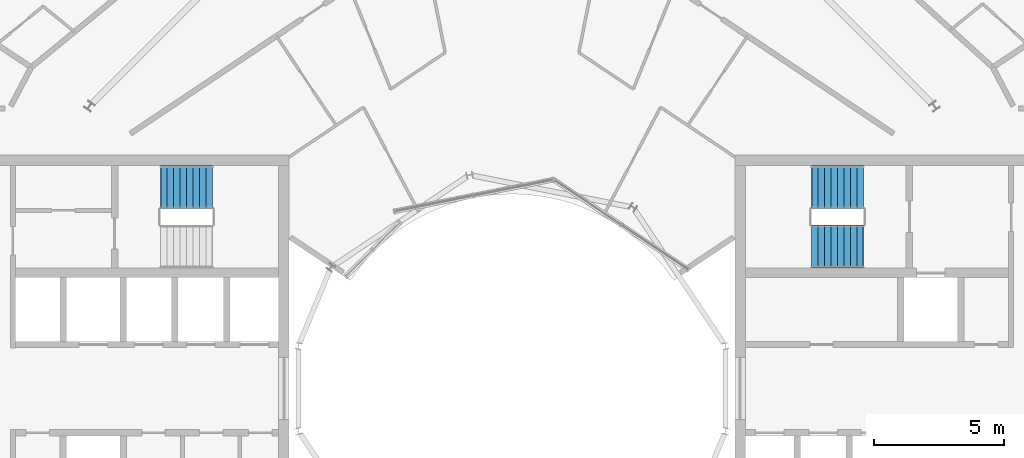
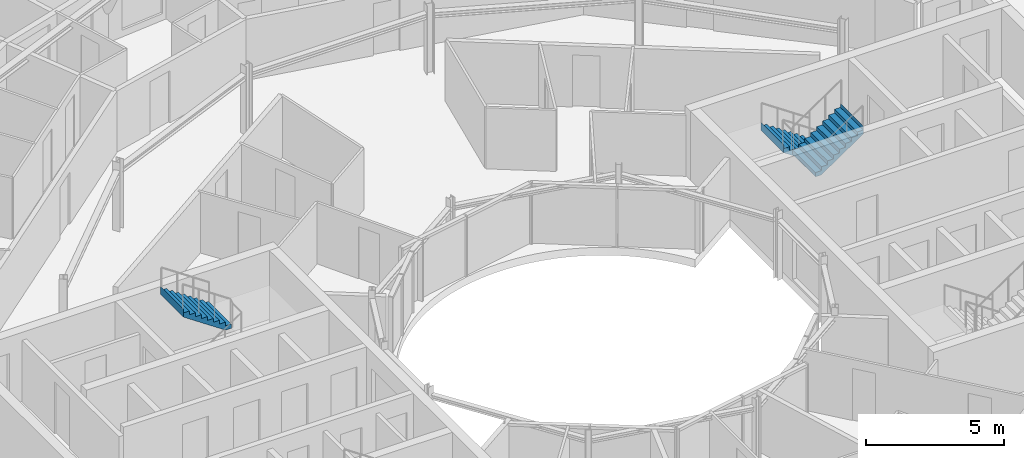
# One storey, part 26 of 28: 3 stair flights, 2 elements without a shape of their own.
"""IFC4 building model written with IfcOpenShell, lengths in metres."""

from ifc_helpers import new_model, si_unit, direction, frame, origin, place, context, subcontext, project, spatial, triangles, material, type_object, element, aggregate, save


model = new_model("IFC4")

# Units and contexts
model_context = context("Model", 3, precision=1e-05, world=origin(), true_north=direction((0.0, 1.0)))
body_context = subcontext(model_context, "Body", "Model", "MODEL_VIEW")
ifc_project = project(units=[si_unit("LENGTHUNIT", "METRE"), si_unit("AREAUNIT", "SQUARE_METRE"), si_unit("VOLUMEUNIT", "CUBIC_METRE"), si_unit("PLANEANGLEUNIT", "RADIAN"), si_unit("MASSUNIT", "GRAM", prefix="KILO")], contexts=[model_context])

# Site, building, storey
site_placement = place(None, origin())
site = spatial("IfcSite", under=ifc_project, at=site_placement, CompositionType="ELEMENT")
building_placement = place(site_placement, origin())
building = spatial("IfcBuilding", under=site, at=building_placement, Name="Maasbend Ring Residences", CompositionType="ELEMENT")
storey_placement = place(building_placement, frame((0.0, 0.0, 231.0)))
storey = spatial("IfcBuildingStorey", under=building, at=storey_placement, Name="L66", CompositionType="ELEMENT", Elevation=231.0)

# Stair, stair flights
ifc_material_1 = material(Name="Concrete C40/50", Category="concrete")
stair_type = type_object("IfcStairType", Name="CORE STAIR 18 RISERS", PredefinedType="HALF_TURN_STAIR", material=ifc_material_1)
stair_1_placement = place(storey_placement, origin())
stair_1 = element("IfcStair", 1, at=stair_1_placement, inside=storey, type_object=stair_type, Name="L66 Exit stair ST-E1", PredefinedType="HALF_TURN_STAIR")
ifc_material_2 = material(Name="Concrete C40/50", Category="concrete")
stair_flight_type = type_object("IfcStairFlightType", Name="CORE STAIR FLIGHT 1650", PredefinedType="STRAIGHT", material=ifc_material_2)
stair_flight_1_placement = place(storey_placement, frame((13.550048828125, 7.77490234375, 0.0), z_axis=(0.0, 0.0, 1.0), x_axis=(-1.0, 0.0, 0.0)))
stair_flight_1 = element("IfcStairFlight", 2, at=stair_flight_1_placement, type_object=stair_flight_type, Name="ST-E1 flight 1", NumberOfRisers=9, NumberOfTreads=8, PredefinedType="STRAIGHT", RiserHeight=0.169444444, TreadLength=0.25, context=body_context, shape_type="Tessellation", body=[
    triangles([(0.24072265625, 0.824951171875, -0.02001953125), (2.0029296875, 0.824951171875, 1.174560546875), (2.0029296875, 0.824951171875, 1.52490234375), (1.989990234375, 0.824951171875, 1.35546875), (1.75, 0.824951171875, 1.35546875), (1.75, 0.824951171875, 1.18603515625), (1.5, 0.824951171875, 1.18603515625), (1.5, 0.824951171875, 1.0166015625), (1.25, 0.824951171875, 1.0166015625), (1.25, 0.824951171875, 0.84716796875), (1.0, 0.824951171875, 0.84716796875), (1.0, 0.824951171875, 0.677734375), (0.75, 0.824951171875, 0.677734375), (0.75, 0.824951171875, 0.50830078125), (0.5, 0.824951171875, 0.50830078125), (0.5, 0.824951171875, 0.3388671875), (0.25, 0.824951171875, 0.3388671875), (0.25, 0.824951171875, 0.16943359375), (0.0, 0.824951171875, 0.16943359375), (0.0, 0.824951171875, 0.0), (-0.0029296875, 0.824951171875, 0.0), (-0.0029296875, 0.824951171875, -0.02001953125), (0.24072265625, 0.27490234375, -0.02001953125), (2.0029296875, 0.27490234375, 1.174560546875), (2.0029296875, 0.27490234375, 1.52490234375), (1.989990234375, 0.27490234375, 1.35546875), (1.75, 0.27490234375, 1.35546875), (1.75, 0.27490234375, 1.18603515625), (1.5, 0.27490234375, 1.18603515625), (1.5, 0.27490234375, 1.0166015625), (1.25, 0.27490234375, 1.0166015625), (1.25, 0.27490234375, 0.84716796875), (1.0, 0.27490234375, 0.84716796875), (1.0, 0.27490234375, 0.677734375), (0.75, 0.27490234375, 0.677734375), (0.75, 0.27490234375, 0.50830078125), (0.5, 0.27490234375, 0.50830078125), (0.5, 0.27490234375, 0.3388671875), (0.25, 0.27490234375, 0.3388671875), (0.25, 0.27490234375, 0.16943359375), (0.0, 0.27490234375, 0.16943359375), (0.0, 0.27490234375, 0.0), (-0.0029296875, 0.27490234375, 0.0), (-0.0029296875, 0.27490234375, -0.02001953125), (0.24072265625, -0.27490234375, -0.02001953125), (2.0029296875, -0.27490234375, 1.174560546875), (2.0029296875, -0.27490234375, 1.52490234375), (1.989990234375, -0.27490234375, 1.35546875), (1.75, -0.27490234375, 1.35546875), (1.75, -0.27490234375, 1.18603515625), (1.5, -0.27490234375, 1.18603515625), (1.5, -0.27490234375, 1.0166015625), (1.25, -0.27490234375, 1.0166015625), (1.25, -0.27490234375, 0.84716796875), (1.0, -0.27490234375, 0.84716796875), (1.0, -0.27490234375, 0.677734375), (0.75, -0.27490234375, 0.677734375), (0.75, -0.27490234375, 0.50830078125), (0.5, -0.27490234375, 0.50830078125), (0.5, -0.27490234375, 0.3388671875), (0.25, -0.27490234375, 0.3388671875), (0.25, -0.27490234375, 0.16943359375), (0.0, -0.27490234375, 0.16943359375), (0.0, -0.27490234375, 0.0), (-0.0029296875, -0.27490234375, 0.0), (-0.0029296875, -0.27490234375, -0.02001953125), (0.24072265625, -0.824951171875, -0.02001953125), (2.0029296875, -0.824951171875, 1.174560546875), (2.0029296875, -0.824951171875, 1.52490234375), (1.989990234375, -0.824951171875, 1.35546875), (1.75, -0.824951171875, 1.35546875), (1.75, -0.824951171875, 1.18603515625), (1.5, -0.824951171875, 1.18603515625), (1.5, -0.824951171875, 1.0166015625), (1.25, -0.824951171875, 1.0166015625), (1.25, -0.824951171875, 0.84716796875), (1.0, -0.824951171875, 0.84716796875), (1.0, -0.824951171875, 0.677734375), (0.75, -0.824951171875, 0.677734375), (0.75, -0.824951171875, 0.50830078125), (0.5, -0.824951171875, 0.50830078125), (0.5, -0.824951171875, 0.3388671875), (0.25, -0.824951171875, 0.3388671875), (0.25, -0.824951171875, 0.16943359375), (0.0, -0.824951171875, 0.16943359375), (0.0, -0.824951171875, 0.0), (-0.0029296875, -0.824951171875, 0.0), (-0.0029296875, -0.824951171875, -0.02001953125)], [[1, 2, 24], [1, 24, 23], [23, 24, 46], [23, 46, 45], [45, 46, 68], [45, 68, 67], [2, 3, 25], [2, 25, 24], [24, 25, 47], [24, 47, 46], [46, 47, 69], [46, 69, 68], [3, 4, 26], [3, 26, 25], [25, 26, 48], [25, 48, 47], [47, 48, 70], [47, 70, 69], [4, 5, 27], [4, 27, 26], [26, 27, 49], [26, 49, 48], [48, 49, 71], [48, 71, 70], [5, 6, 28], [5, 28, 27], [27, 28, 50], [27, 50, 49], [49, 50, 72], [49, 72, 71], [6, 7, 29], [6, 29, 28], [28, 29, 51], [28, 51, 50], [50, 51, 73], [50, 73, 72], [7, 8, 30], [7, 30, 29], [29, 30, 52], [29, 52, 51], [51, 52, 74], [51, 74, 73], [8, 9, 31], [8, 31, 30], [30, 31, 53], [30, 53, 52], [52, 53, 75], [52, 75, 74], [9, 10, 32], [9, 32, 31], [31, 32, 54], [31, 54, 53], [53, 54, 76], [53, 76, 75], [10, 11, 33], [10, 33, 32], [32, 33, 55], [32, 55, 54], [54, 55, 77], [54, 77, 76], [11, 12, 34], [11, 34, 33], [33, 34, 56], [33, 56, 55], [55, 56, 78], [55, 78, 77], [12, 13, 35], [12, 35, 34], [34, 35, 57], [34, 57, 56], [56, 57, 79], [56, 79, 78], [13, 14, 36], [13, 36, 35], [35, 36, 58], [35, 58, 57], [57, 58, 80], [57, 80, 79], [14, 15, 37], [14, 37, 36], [36, 37, 59], [36, 59, 58], [58, 59, 81], [58, 81, 80], [15, 16, 38], [15, 38, 37], [37, 38, 60], [37, 60, 59], [59, 60, 82], [59, 82, 81], [16, 17, 39], [16, 39, 38], [38, 39, 61], [38, 61, 60], [60, 61, 83], [60, 83, 82], [17, 18, 40], [17, 40, 39], [39, 40, 62], [39, 62, 61], [61, 62, 84], [61, 84, 83], [18, 19, 41], [18, 41, 40], [40, 41, 63], [40, 63, 62], [62, 63, 85], [62, 85, 84], [19, 20, 42], [19, 42, 41], [41, 42, 64], [41, 64, 63], [63, 64, 86], [63, 86, 85], [20, 21, 43], [20, 43, 42], [42, 43, 65], [42, 65, 64], [64, 65, 87], [64, 87, 86], [21, 22, 44], [21, 44, 43], [43, 44, 66], [43, 66, 65], [65, 66, 88], [65, 88, 87], [22, 1, 23], [22, 23, 44], [44, 23, 45], [44, 45, 66], [66, 45, 67], [66, 67, 88], [22, 2, 1], [2, 4, 3], [2, 5, 4], [2, 6, 5], [22, 6, 2], [6, 8, 7], [22, 8, 6], [8, 10, 9], [22, 10, 8], [10, 12, 11], [22, 12, 10], [12, 14, 13], [22, 14, 12], [14, 16, 15], [22, 16, 14], [16, 18, 17], [22, 18, 16], [18, 20, 19], [22, 20, 18], [20, 22, 21], [88, 67, 68], [68, 69, 70], [68, 70, 71], [68, 71, 72], [88, 68, 72], [72, 73, 74], [88, 72, 74], [74, 75, 76], [88, 74, 76], [76, 77, 78], [88, 76, 78], [78, 79, 80], [88, 78, 80], [80, 81, 82], [88, 80, 82], [82, 83, 84], [88, 82, 84], [84, 85, 86], [88, 84, 86], [86, 87, 88]], closed=True),
])
stair_flight_2_placement = place(storey_placement, frame((11.550048828125, 5.47509765625, 1.52490234375), z_axis=(0.0, 0.0, 1.0), x_axis=(1.0, 0.0, 0.0)))
stair_flight_2 = element("IfcStairFlight", 3, at=stair_flight_2_placement, type_object=stair_flight_type, Name="ST-E1 flight 2", NumberOfRisers=9, NumberOfTreads=8, PredefinedType="STRAIGHT", RiserHeight=0.169444444, TreadLength=0.25, context=body_context, shape_type="Tessellation", body=[
    triangles([(0.24072265625, 0.824951171875, -0.02001953125), (2.0029296875, 0.824951171875, 1.174560546875), (2.0029296875, 0.824951171875, 1.52490234375), (1.989990234375, 0.824951171875, 1.35546875), (1.75, 0.824951171875, 1.35546875), (1.75, 0.824951171875, 1.18603515625), (1.5, 0.824951171875, 1.18603515625), (1.5, 0.824951171875, 1.0166015625), (1.25, 0.824951171875, 1.0166015625), (1.25, 0.824951171875, 0.84716796875), (1.0, 0.824951171875, 0.84716796875), (1.0, 0.824951171875, 0.677734375), (0.75, 0.824951171875, 0.677734375), (0.75, 0.824951171875, 0.50830078125), (0.5, 0.824951171875, 0.50830078125), (0.5, 0.824951171875, 0.3388671875), (0.25, 0.824951171875, 0.3388671875), (0.25, 0.824951171875, 0.16943359375), (0.0, 0.824951171875, 0.16943359375), (0.0, 0.824951171875, 0.0), (-0.0029296875, 0.824951171875, 0.0), (-0.0029296875, 0.824951171875, -0.02001953125), (0.24072265625, 0.27490234375, -0.02001953125), (2.0029296875, 0.27490234375, 1.174560546875), (2.0029296875, 0.27490234375, 1.52490234375), (1.989990234375, 0.27490234375, 1.35546875), (1.75, 0.27490234375, 1.35546875), (1.75, 0.27490234375, 1.18603515625), (1.5, 0.27490234375, 1.18603515625), (1.5, 0.27490234375, 1.0166015625), (1.25, 0.27490234375, 1.0166015625), (1.25, 0.27490234375, 0.84716796875), (1.0, 0.27490234375, 0.84716796875), (1.0, 0.27490234375, 0.677734375), (0.75, 0.27490234375, 0.677734375), (0.75, 0.27490234375, 0.50830078125), (0.5, 0.27490234375, 0.50830078125), (0.5, 0.27490234375, 0.3388671875), (0.25, 0.27490234375, 0.3388671875), (0.25, 0.27490234375, 0.16943359375), (0.0, 0.27490234375, 0.16943359375), (0.0, 0.27490234375, 0.0), (-0.0029296875, 0.27490234375, 0.0), (-0.0029296875, 0.27490234375, -0.02001953125), (0.24072265625, -0.27490234375, -0.02001953125), (2.0029296875, -0.27490234375, 1.174560546875), (2.0029296875, -0.27490234375, 1.52490234375), (1.989990234375, -0.27490234375, 1.35546875), (1.75, -0.27490234375, 1.35546875), (1.75, -0.27490234375, 1.18603515625), (1.5, -0.27490234375, 1.18603515625), (1.5, -0.27490234375, 1.0166015625), (1.25, -0.27490234375, 1.0166015625), (1.25, -0.27490234375, 0.84716796875), (1.0, -0.27490234375, 0.84716796875), (1.0, -0.27490234375, 0.677734375), (0.75, -0.27490234375, 0.677734375), (0.75, -0.27490234375, 0.50830078125), (0.5, -0.27490234375, 0.50830078125), (0.5, -0.27490234375, 0.3388671875), (0.25, -0.27490234375, 0.3388671875), (0.25, -0.27490234375, 0.16943359375), (0.0, -0.27490234375, 0.16943359375), (0.0, -0.27490234375, 0.0), (-0.0029296875, -0.27490234375, 0.0), (-0.0029296875, -0.27490234375, -0.02001953125), (0.24072265625, -0.824951171875, -0.02001953125), (2.0029296875, -0.824951171875, 1.174560546875), (2.0029296875, -0.824951171875, 1.52490234375), (1.989990234375, -0.824951171875, 1.35546875), (1.75, -0.824951171875, 1.35546875), (1.75, -0.824951171875, 1.18603515625), (1.5, -0.824951171875, 1.18603515625), (1.5, -0.824951171875, 1.0166015625), (1.25, -0.824951171875, 1.0166015625), (1.25, -0.824951171875, 0.84716796875), (1.0, -0.824951171875, 0.84716796875), (1.0, -0.824951171875, 0.677734375), (0.75, -0.824951171875, 0.677734375), (0.75, -0.824951171875, 0.50830078125), (0.5, -0.824951171875, 0.50830078125), (0.5, -0.824951171875, 0.3388671875), (0.25, -0.824951171875, 0.3388671875), (0.25, -0.824951171875, 0.16943359375), (0.0, -0.824951171875, 0.16943359375), (0.0, -0.824951171875, 0.0), (-0.0029296875, -0.824951171875, 0.0), (-0.0029296875, -0.824951171875, -0.02001953125)], [[1, 2, 24], [1, 24, 23], [23, 24, 46], [23, 46, 45], [45, 46, 68], [45, 68, 67], [2, 3, 25], [2, 25, 24], [24, 25, 47], [24, 47, 46], [46, 47, 69], [46, 69, 68], [3, 4, 26], [3, 26, 25], [25, 26, 48], [25, 48, 47], [47, 48, 70], [47, 70, 69], [4, 5, 27], [4, 27, 26], [26, 27, 49], [26, 49, 48], [48, 49, 71], [48, 71, 70], [5, 6, 28], [5, 28, 27], [27, 28, 50], [27, 50, 49], [49, 50, 72], [49, 72, 71], [6, 7, 29], [6, 29, 28], [28, 29, 51], [28, 51, 50], [50, 51, 73], [50, 73, 72], [7, 8, 30], [7, 30, 29], [29, 30, 52], [29, 52, 51], [51, 52, 74], [51, 74, 73], [8, 9, 31], [8, 31, 30], [30, 31, 53], [30, 53, 52], [52, 53, 75], [52, 75, 74], [9, 10, 32], [9, 32, 31], [31, 32, 54], [31, 54, 53], [53, 54, 76], [53, 76, 75], [10, 11, 33], [10, 33, 32], [32, 33, 55], [32, 55, 54], [54, 55, 77], [54, 77, 76], [11, 12, 34], [11, 34, 33], [33, 34, 56], [33, 56, 55], [55, 56, 78], [55, 78, 77], [12, 13, 35], [12, 35, 34], [34, 35, 57], [34, 57, 56], [56, 57, 79], [56, 79, 78], [13, 14, 36], [13, 36, 35], [35, 36, 58], [35, 58, 57], [57, 58, 80], [57, 80, 79], [14, 15, 37], [14, 37, 36], [36, 37, 59], [36, 59, 58], [58, 59, 81], [58, 81, 80], [15, 16, 38], [15, 38, 37], [37, 38, 60], [37, 60, 59], [59, 60, 82], [59, 82, 81], [16, 17, 39], [16, 39, 38], [38, 39, 61], [38, 61, 60], [60, 61, 83], [60, 83, 82], [17, 18, 40], [17, 40, 39], [39, 40, 62], [39, 62, 61], [61, 62, 84], [61, 84, 83], [18, 19, 41], [18, 41, 40], [40, 41, 63], [40, 63, 62], [62, 63, 85], [62, 85, 84], [19, 20, 42], [19, 42, 41], [41, 42, 64], [41, 64, 63], [63, 64, 86], [63, 86, 85], [20, 21, 43], [20, 43, 42], [42, 43, 65], [42, 65, 64], [64, 65, 87], [64, 87, 86], [21, 22, 44], [21, 44, 43], [43, 44, 66], [43, 66, 65], [65, 66, 88], [65, 88, 87], [22, 1, 23], [22, 23, 44], [44, 23, 45], [44, 45, 66], [66, 45, 67], [66, 67, 88], [22, 2, 1], [2, 4, 3], [2, 5, 4], [2, 6, 5], [22, 6, 2], [6, 8, 7], [22, 8, 6], [8, 10, 9], [22, 10, 8], [10, 12, 11], [22, 12, 10], [12, 14, 13], [22, 14, 12], [14, 16, 15], [22, 16, 14], [16, 18, 17], [22, 18, 16], [18, 20, 19], [22, 20, 18], [20, 22, 21], [88, 67, 68], [68, 69, 70], [68, 70, 71], [68, 71, 72], [88, 68, 72], [72, 73, 74], [88, 72, 74], [74, 75, 76], [88, 74, 76], [76, 77, 78], [88, 76, 78], [78, 79, 80], [88, 78, 80], [80, 81, 82], [88, 80, 82], [82, 83, 84], [88, 82, 84], [84, 85, 86], [88, 84, 86], [86, 87, 88]], closed=True),
])
aggregate(stair_1, [stair_flight_1, stair_flight_2])

# Stair, stair flight
stair_2_placement = place(storey_placement, origin())
stair_2 = element("IfcStair", 4, at=stair_2_placement, inside=storey, type_object=stair_type, Name="L66 Exit stair ST-W2", PredefinedType="HALF_TURN_STAIR")
stair_flight_3_placement = place(storey_placement, frame((-11.550048828125, 7.77490234375, 1.52490234375), z_axis=(0.0, 0.0, 1.0), x_axis=(-1.0, 0.0, 0.0)))
stair_flight_3 = element("IfcStairFlight", 5, at=stair_flight_3_placement, type_object=stair_flight_type, Name="ST-W2 flight 2", NumberOfRisers=9, NumberOfTreads=8, PredefinedType="STRAIGHT", RiserHeight=0.169444444, TreadLength=0.25, context=body_context, shape_type="Tessellation", body=[
    triangles([(0.24072265625, 0.824951171875, -0.02001953125), (2.0029296875, 0.824951171875, 1.174560546875), (2.0029296875, 0.824951171875, 1.52490234375), (1.989990234375, 0.824951171875, 1.35546875), (1.75, 0.824951171875, 1.35546875), (1.75, 0.824951171875, 1.18603515625), (1.5, 0.824951171875, 1.18603515625), (1.5, 0.824951171875, 1.0166015625), (1.25, 0.824951171875, 1.0166015625), (1.25, 0.824951171875, 0.84716796875), (1.0, 0.824951171875, 0.84716796875), (1.0, 0.824951171875, 0.677734375), (0.75, 0.824951171875, 0.677734375), (0.75, 0.824951171875, 0.50830078125), (0.5, 0.824951171875, 0.50830078125), (0.5, 0.824951171875, 0.3388671875), (0.25, 0.824951171875, 0.3388671875), (0.25, 0.824951171875, 0.16943359375), (0.0, 0.824951171875, 0.16943359375), (0.0, 0.824951171875, 0.0), (-0.0029296875, 0.824951171875, 0.0), (-0.0029296875, 0.824951171875, -0.02001953125), (0.24072265625, 0.27490234375, -0.02001953125), (2.0029296875, 0.27490234375, 1.174560546875), (2.0029296875, 0.27490234375, 1.52490234375), (1.989990234375, 0.27490234375, 1.35546875), (1.75, 0.27490234375, 1.35546875), (1.75, 0.27490234375, 1.18603515625), (1.5, 0.27490234375, 1.18603515625), (1.5, 0.27490234375, 1.0166015625), (1.25, 0.27490234375, 1.0166015625), (1.25, 0.27490234375, 0.84716796875), (1.0, 0.27490234375, 0.84716796875), (1.0, 0.27490234375, 0.677734375), (0.75, 0.27490234375, 0.677734375), (0.75, 0.27490234375, 0.50830078125), (0.5, 0.27490234375, 0.50830078125), (0.5, 0.27490234375, 0.3388671875), (0.25, 0.27490234375, 0.3388671875), (0.25, 0.27490234375, 0.16943359375), (0.0, 0.27490234375, 0.16943359375), (0.0, 0.27490234375, 0.0), (-0.0029296875, 0.27490234375, 0.0), (-0.0029296875, 0.27490234375, -0.02001953125), (0.24072265625, -0.27490234375, -0.02001953125), (2.0029296875, -0.27490234375, 1.174560546875), (2.0029296875, -0.27490234375, 1.52490234375), (1.989990234375, -0.27490234375, 1.35546875), (1.75, -0.27490234375, 1.35546875), (1.75, -0.27490234375, 1.18603515625), (1.5, -0.27490234375, 1.18603515625), (1.5, -0.27490234375, 1.0166015625), (1.25, -0.27490234375, 1.0166015625), (1.25, -0.27490234375, 0.84716796875), (1.0, -0.27490234375, 0.84716796875), (1.0, -0.27490234375, 0.677734375), (0.75, -0.27490234375, 0.677734375), (0.75, -0.27490234375, 0.50830078125), (0.5, -0.27490234375, 0.50830078125), (0.5, -0.27490234375, 0.3388671875), (0.25, -0.27490234375, 0.3388671875), (0.25, -0.27490234375, 0.16943359375), (0.0, -0.27490234375, 0.16943359375), (0.0, -0.27490234375, 0.0), (-0.0029296875, -0.27490234375, 0.0), (-0.0029296875, -0.27490234375, -0.02001953125), (0.24072265625, -0.824951171875, -0.02001953125), (2.0029296875, -0.824951171875, 1.174560546875), (2.0029296875, -0.824951171875, 1.52490234375), (1.989990234375, -0.824951171875, 1.35546875), (1.75, -0.824951171875, 1.35546875), (1.75, -0.824951171875, 1.18603515625), (1.5, -0.824951171875, 1.18603515625), (1.5, -0.824951171875, 1.0166015625), (1.25, -0.824951171875, 1.0166015625), (1.25, -0.824951171875, 0.84716796875), (1.0, -0.824951171875, 0.84716796875), (1.0, -0.824951171875, 0.677734375), (0.75, -0.824951171875, 0.677734375), (0.75, -0.824951171875, 0.50830078125), (0.5, -0.824951171875, 0.50830078125), (0.5, -0.824951171875, 0.3388671875), (0.25, -0.824951171875, 0.3388671875), (0.25, -0.824951171875, 0.16943359375), (0.0, -0.824951171875, 0.16943359375), (0.0, -0.824951171875, 0.0), (-0.0029296875, -0.824951171875, 0.0), (-0.0029296875, -0.824951171875, -0.02001953125)], [[1, 2, 24], [1, 24, 23], [23, 24, 46], [23, 46, 45], [45, 46, 68], [45, 68, 67], [2, 3, 25], [2, 25, 24], [24, 25, 47], [24, 47, 46], [46, 47, 69], [46, 69, 68], [3, 4, 26], [3, 26, 25], [25, 26, 48], [25, 48, 47], [47, 48, 70], [47, 70, 69], [4, 5, 27], [4, 27, 26], [26, 27, 49], [26, 49, 48], [48, 49, 71], [48, 71, 70], [5, 6, 28], [5, 28, 27], [27, 28, 50], [27, 50, 49], [49, 50, 72], [49, 72, 71], [6, 7, 29], [6, 29, 28], [28, 29, 51], [28, 51, 50], [50, 51, 73], [50, 73, 72], [7, 8, 30], [7, 30, 29], [29, 30, 52], [29, 52, 51], [51, 52, 74], [51, 74, 73], [8, 9, 31], [8, 31, 30], [30, 31, 53], [30, 53, 52], [52, 53, 75], [52, 75, 74], [9, 10, 32], [9, 32, 31], [31, 32, 54], [31, 54, 53], [53, 54, 76], [53, 76, 75], [10, 11, 33], [10, 33, 32], [32, 33, 55], [32, 55, 54], [54, 55, 77], [54, 77, 76], [11, 12, 34], [11, 34, 33], [33, 34, 56], [33, 56, 55], [55, 56, 78], [55, 78, 77], [12, 13, 35], [12, 35, 34], [34, 35, 57], [34, 57, 56], [56, 57, 79], [56, 79, 78], [13, 14, 36], [13, 36, 35], [35, 36, 58], [35, 58, 57], [57, 58, 80], [57, 80, 79], [14, 15, 37], [14, 37, 36], [36, 37, 59], [36, 59, 58], [58, 59, 81], [58, 81, 80], [15, 16, 38], [15, 38, 37], [37, 38, 60], [37, 60, 59], [59, 60, 82], [59, 82, 81], [16, 17, 39], [16, 39, 38], [38, 39, 61], [38, 61, 60], [60, 61, 83], [60, 83, 82], [17, 18, 40], [17, 40, 39], [39, 40, 62], [39, 62, 61], [61, 62, 84], [61, 84, 83], [18, 19, 41], [18, 41, 40], [40, 41, 63], [40, 63, 62], [62, 63, 85], [62, 85, 84], [19, 20, 42], [19, 42, 41], [41, 42, 64], [41, 64, 63], [63, 64, 86], [63, 86, 85], [20, 21, 43], [20, 43, 42], [42, 43, 65], [42, 65, 64], [64, 65, 87], [64, 87, 86], [21, 22, 44], [21, 44, 43], [43, 44, 66], [43, 66, 65], [65, 66, 88], [65, 88, 87], [22, 1, 23], [22, 23, 44], [44, 23, 45], [44, 45, 66], [66, 45, 67], [66, 67, 88], [22, 2, 1], [2, 4, 3], [2, 5, 4], [2, 6, 5], [22, 6, 2], [6, 8, 7], [22, 8, 6], [8, 10, 9], [22, 10, 8], [10, 12, 11], [22, 12, 10], [12, 14, 13], [22, 14, 12], [14, 16, 15], [22, 16, 14], [16, 18, 17], [22, 18, 16], [18, 20, 19], [22, 20, 18], [20, 22, 21], [88, 67, 68], [68, 69, 70], [68, 70, 71], [68, 71, 72], [88, 68, 72], [72, 73, 74], [88, 72, 74], [74, 75, 76], [88, 74, 76], [76, 77, 78], [88, 76, 78], [78, 79, 80], [88, 78, 80], [80, 81, 82], [88, 80, 82], [82, 83, 84], [88, 82, 84], [84, 85, 86], [88, 84, 86], [86, 87, 88]], closed=True),
])
aggregate(stair_2, [stair_flight_3])

save(model, "model.ifc")
